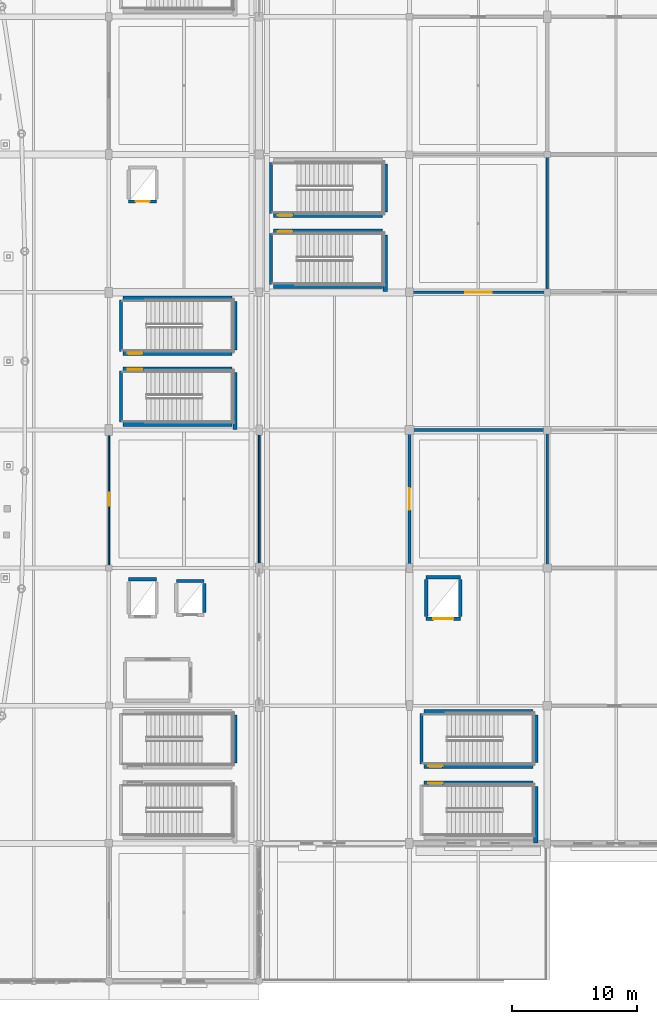
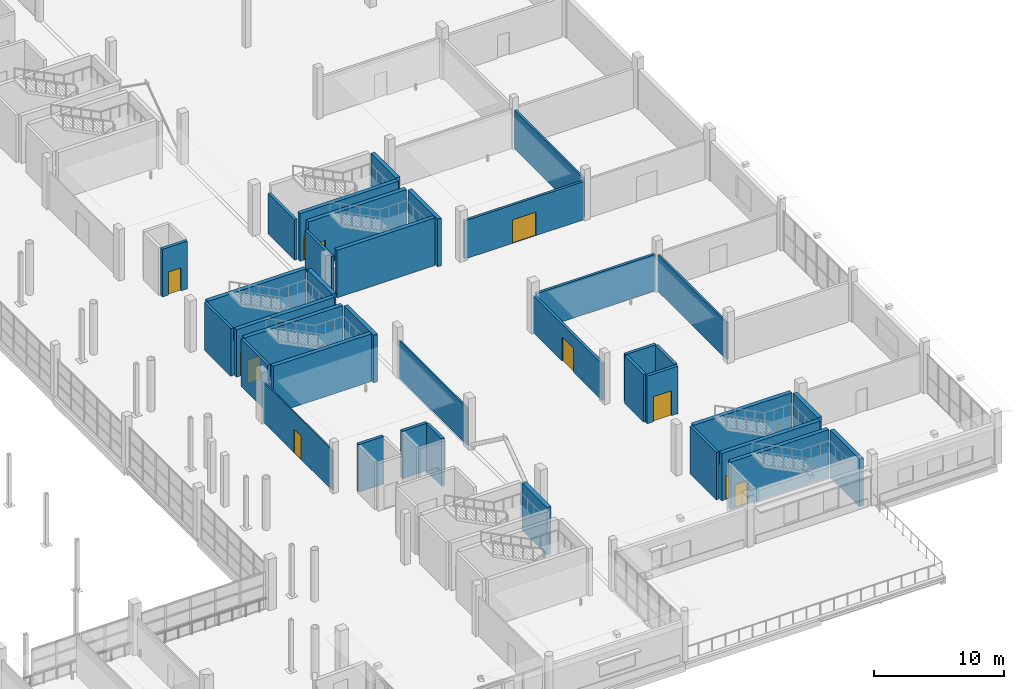
# One storey, part 98 of 143: 37 walls, 11 doors, 11 openings.
"""IFC4 building model written with IfcOpenShell, lengths in metres."""

import ifcopenshell
import ifcopenshell.guid

model = None  # the IFC model being written
_history = None  # IfcOwnerHistory: only IFC2X3 demands one
_inside = {}  # id of a spatial element -> (the spatial element, [elements in it])
_under = {}  # id of a project, library or spatial element -> (it, [spatial elements below it])
_declared = {}  # id of a project -> (the project, [libraries it declares])
_typed = {}  # id of a type object -> (the type object, [elements of that type])
_made_of = {}  # id of a material, layer set ... -> (it, [elements and type objects made of it])


def new_model(schema):
    """Start an empty IFC model of exactly this schema.

    Asked for "IFC4X3", IfcOpenShell would pick the latest addendum, in which some entities
    have other attributes; the version numbers below select the first issue.
    IFC2X3 requires an IfcOwnerHistory on every rooted entity: one is made here for all.
    """
    global model, _history
    if schema == "IFC4X3":
        model = ifcopenshell.file(schema_version=(4, 3, 0, 0))
    else:
        model = ifcopenshell.file(schema=schema)
    _inside.clear()
    _under.clear()
    _declared.clear()
    _typed.clear()
    _made_of.clear()
    _history = None
    if model.schema == "IFC2X3":
        org = make("IfcOrganization", Name="unknown")
        user = make(
            "IfcPersonAndOrganization",
            ThePerson=make("IfcPerson", FamilyName="unknown"),
            TheOrganization=org,
        )
        app = make(
            "IfcApplication",
            ApplicationDeveloper=org,
            Version="unknown",
            ApplicationFullName="unknown",
            ApplicationIdentifier="unknown",
        )
        _history = make(
            "IfcOwnerHistory",
            OwningUser=user,
            OwningApplication=app,
            ChangeAction="ADDED",
            CreationDate=0,
        )
    return model


def make(cls, **values):
    """One entity of the class cls with the attributes given. An attribute that is None is left unset."""
    return model.create_entity(
        cls, **{name: value for name, value in values.items() if value is not None}
    )


def rooted(cls, **values):
    """An entity with a GlobalId (a new one), such as an element, a storey or a relation."""
    return make(cls, GlobalId=ifcopenshell.guid.new(), OwnerHistory=_history, **values)


def si_unit(unit_type, name, prefix=None):
    """IfcSIUnit, for example si_unit("LENGTHUNIT", "METRE", prefix="MILLI")."""
    return make("IfcSIUnit", UnitType=unit_type, Prefix=prefix, Name=name)


def assignment(units):
    """IfcUnitAssignment: the units of a project."""
    return None if units is None else make("IfcUnitAssignment", Units=units)


def point(xyz):
    """IfcCartesianPoint."""
    return None if xyz is None else make("IfcCartesianPoint", Coordinates=xyz)


def direction(xyz):
    """IfcDirection."""
    return None if xyz is None else make("IfcDirection", DirectionRatios=xyz)


def frame(location, z_axis=None, x_axis=None):
    """IfcAxis2Placement3D, a coordinate frame: its origin and axes. An axis left out is left unset."""
    return make(
        "IfcAxis2Placement3D",
        Location=point(location),
        Axis=direction(z_axis),
        RefDirection=direction(x_axis),
    )


def frame_2d(location, x_axis=None):
    """IfcAxis2Placement2D, a coordinate frame in the plane: its origin and x axis."""
    return make(
        "IfcAxis2Placement2D", Location=point(location), RefDirection=direction(x_axis)
    )


def origin():
    """The frame at (0, 0, 0) with its axes left unset."""
    return frame((0.0, 0.0, 0.0))


def place(relative_to, where):
    """IfcLocalPlacement: puts the frame where relative to a parent placement (None: the world)."""
    return make(
        "IfcLocalPlacement", PlacementRelTo=relative_to, RelativePlacement=where
    )


def context(
    kind, dimensions, precision=None, world=None, true_north=None, identifier=None
):
    """IfcGeometricRepresentationContext, for example the 3D "Model" context."""
    return make(
        "IfcGeometricRepresentationContext",
        ContextIdentifier=identifier,
        ContextType=kind,
        CoordinateSpaceDimension=dimensions,
        Precision=precision,
        WorldCoordinateSystem=world,
        TrueNorth=true_north,
    )


def subcontext(parent, identifier, kind, view, scale=None):
    """IfcGeometricRepresentationSubContext, for example "Body" below "Model"."""
    return make(
        "IfcGeometricRepresentationSubContext",
        ContextIdentifier=identifier,
        ContextType=kind,
        ParentContext=parent,
        TargetScale=scale,
        TargetView=view,
    )


def project(units=None, contexts=None):
    """IfcProject with its units and contexts."""
    return rooted(
        "IfcProject",
        Name="project",
        RepresentationContexts=contexts,
        UnitsInContext=assignment(units),
    )


def spatial(cls, under=None, at=None, **own):
    """A site, building, storey or space (cls), placed at a placement, below another one or the project."""
    s = rooted(cls, ObjectPlacement=at, **own)
    if under is not None:
        _under.setdefault(under.id(), (under, []))[1].append(s)
    return s


def profile(cls, at=None, kind="AREA", **sizes):
    """A parametric profile (cls). Its sizes go by their IFC names, for example OverallWidth=200.0."""
    return make(cls, ProfileType=kind, Position=at, **sizes)


def rectangle(**sizes):
    """IfcRectangleProfileDef."""
    return profile("IfcRectangleProfileDef", **sizes)


def extrude(swept, where, along, depth):
    """IfcExtrudedAreaSolid: the profile swept, set in the frame where, extruded along a direction by depth."""
    return make(
        "IfcExtrudedAreaSolid",
        SweptArea=swept,
        Position=where,
        ExtrudedDirection=direction(along),
        Depth=depth,
    )


def shape(context_of_items, identifier, shape_type, items):
    """IfcShapeRepresentation: the items that make up one representation, for example the "Body"."""
    return make(
        "IfcShapeRepresentation",
        ContextOfItems=context_of_items,
        RepresentationIdentifier=identifier,
        RepresentationType=shape_type,
        Items=items,
    )


def material(Name=None, Category=None):
    """IfcMaterial."""
    return make("IfcMaterial", Name=Name, Category=Category)


def layer(
    of_material, thickness, ventilated=None, Name=None, Category=None, Priority=None
):
    """IfcMaterialLayer: one layer of a wall or slab, of a material (None: an air gap)."""
    return make(
        "IfcMaterialLayer",
        Material=of_material,
        LayerThickness=thickness,
        IsVentilated=ventilated,
        Name=Name,
        Category=Category,
        Priority=Priority,
    )


def layer_set(layers, Name=None):
    """IfcMaterialLayerSet."""
    return make("IfcMaterialLayerSet", MaterialLayers=layers, LayerSetName=Name)


def made_of(thing, what):
    """Note that an element or type object is made of a material, layer set ...; save() writes the relation."""
    if what is not None:
        _made_of.setdefault(what.id(), (what, []))[1].append(thing)
    return thing


def type_object(cls, material=None, **own):
    """A type object (cls), such as IfcWallType, which elements share."""
    return made_of(rooted(cls, **own), material)


def element(
    cls,
    number,
    at=None,
    inside=None,
    cuts=None,
    type_object=None,
    material=None,
    context=None,
    identifier="Body",
    shape_type=None,
    held_by="IfcProductDefinitionShape",
    body=None,
    shapes=None,
    **own,
):
    """One element of the class cls, such as IfcWall. Its Tag is "e" and its number.

    at: its placement. inside: the storey or other place that contains it. cuts: it is an
    opening in that element (IfcRelVoidsElement). A single representation is given by context,
    identifier, shape_type and body (its items); several are given by shapes. held_by: the class
    of the entity that holds the representations. save() writes the other relations.
    """
    e = rooted(cls, Tag="e%d" % number, ObjectPlacement=at, **own)
    if body is not None:
        shapes = [shape(context, identifier, shape_type, body)]
    if shapes is not None:
        e.Representation = make(held_by, Representations=shapes)
    if inside is not None:
        _inside.setdefault(inside.id(), (inside, []))[1].append(e)
    if cuts is not None:
        rooted(
            "IfcRelVoidsElement", RelatingBuildingElement=cuts, RelatedOpeningElement=e
        )
    if type_object is not None:
        _typed.setdefault(type_object.id(), (type_object, []))[1].append(e)
    return made_of(e, material)


def fill(opening, filler):
    """IfcRelFillsElement: the door or window that sits in an opening."""
    return rooted(
        "IfcRelFillsElement",
        RelatingOpeningElement=opening,
        RelatedBuildingElement=filler,
    )


def aggregate(whole, parts):
    """IfcRelAggregates: a whole, such as a stair, and the parts it consists of."""
    return rooted("IfcRelAggregates", RelatingObject=whole, RelatedObjects=parts)


def save(model, path):
    """Write the relations noted so far, then the file.

    IfcRelAggregates (storeys below a building ...), IfcRelContainedInSpatialStructure (elements
    in a storey), IfcRelDefinesByType, IfcRelAssociatesMaterial and IfcRelDeclares: one each for
    every whole, place, type object, material and project.
    """
    for whole, parts in _under.values():
        aggregate(whole, parts)
    for where, things in _inside.values():
        rooted(
            "IfcRelContainedInSpatialStructure",
            RelatedElements=things,
            RelatingStructure=where,
        )
    for kind, things in _typed.values():
        rooted("IfcRelDefinesByType", RelatedObjects=things, RelatingType=kind)
    for what, things in _made_of.values():
        rooted("IfcRelAssociatesMaterial", RelatedObjects=things, RelatingMaterial=what)
    for by, libraries in _declared.values():
        rooted("IfcRelDeclares", RelatingContext=by, RelatedDefinitions=libraries)
    model.write(path)


model = new_model("IFC4")

# Units and contexts
model_context = context("Model", 3, precision=1e-05, world=origin(), true_north=direction((0.0, 1.0)))
body_context = subcontext(model_context, "Body", "Model", "MODEL_VIEW")
ifc_project = project(units=[si_unit("LENGTHUNIT", "METRE"), si_unit("AREAUNIT", "SQUARE_METRE"), si_unit("VOLUMEUNIT", "CUBIC_METRE"), si_unit("PLANEANGLEUNIT", "RADIAN"), si_unit("MASSUNIT", "GRAM", prefix="KILO")], contexts=[model_context])

# Site, building, storey
site_placement = place(None, origin())
site = spatial("IfcSite", under=ifc_project, at=site_placement, CompositionType="ELEMENT")
building_placement = place(site_placement, origin())
building = spatial("IfcBuilding", under=site, at=building_placement, Name="Luwafu Chhajja Arena", CompositionType="ELEMENT")
storey_placement = place(building_placement, frame((0.0, 0.0, 5.39990234375)))
storey = spatial("IfcBuildingStorey", under=building, at=storey_placement, Name="L01", CompositionType="ELEMENT", Elevation=5.39990234375)

# Wall, opening, door
ifc_material_1 = material(Name="Concrete blockwork masonry", Category="masonry")
ifc_layer_1 = layer(ifc_material_1, 0.239990234375, Name="Concrete blockwork masonry")
ifc_layer_set_1 = layer_set([ifc_layer_1], Name="Concrete blockwork masonry")
wall_type_1 = type_object("IfcWallType", Name="Compartment Masonry Partition 240", PredefinedType="PARTITIONING", material=ifc_layer_set_1)
wall_1_placement = place(storey_placement, frame((176.0, 33.219970703125, 0.0), z_axis=(0.0, 0.0, 1.0), x_axis=(0.0, 1.0, 0.0)))
wall_1 = element("IfcWall", 1, at=wall_1_placement, inside=storey, type_object=wall_type_1, Name="L01 Internal Partition 0238", PredefinedType="PARTITIONING", context=body_context, shape_type="SweptSolid", body=[
    extrude(rectangle(XDim=10.56005859375, YDim=0.239990234375, at=frame_2d((5.280029296875, 0.0))), origin(), (0.0, 0.0, 1.0), 3.440185546875),
])
opening_1_placement = place(wall_1_placement, frame((4.405029296875, 0.0, 0.0)))
opening_1 = element("IfcOpeningElement", 2, at=opening_1_placement, cuts=wall_1, Name="Opening DR-09", PredefinedType="OPENING", context=body_context, shape_type="SweptSolid", body=[
    extrude(rectangle(XDim=1.75, YDim=2.25, at=frame_2d((0.875, 1.125))), frame((0.0, 0.1298828125, 0.0), z_axis=(0.0, -1.0, 0.0), x_axis=(1.0, 0.0, 0.0)), (0.0, 0.0, 1.0), 0.260009765625),
])
ifc_material_2 = material(Name="Powder-coated steel fire leaf", Category="steel")
door_type_1 = type_object("IfcDoorType", Name="DR-09", OperationType="DOUBLE_DOOR_SINGLE_SWING", PredefinedType="DOOR", material=ifc_material_2)
door_1_placement = place(opening_1_placement, origin())
door_1 = element("IfcDoor", 3, at=door_1_placement, inside=storey, type_object=door_type_1, Name="L01 Interior Door L01-D046", OperationType="DOUBLE_DOOR_SINGLE_SWING", OverallHeight=2.25, OverallWidth=1.75, PredefinedType="DOOR", context=body_context, shape_type="SweptSolid", body=[
    extrude(rectangle(XDim=1.75, YDim=2.25, at=frame_2d((0.875, 1.125))), frame((0.0, 0.02490234375, 0.0), z_axis=(0.0, -1.0, 0.0), x_axis=(1.0, 0.0, 0.0)), (0.0, 0.0, 1.0), 0.050048828125),
])
fill(opening_1, door_1)

# Walls
ifc_material_3 = material(Name="Lightweight blockwork partition", Category="masonry")
ifc_layer_2 = layer(ifc_material_3, 0.139892578125, Name="Lightweight blockwork partition")
ifc_layer_set_2 = layer_set([ifc_layer_2], Name="Lightweight blockwork partition")
wall_type_2 = type_object("IfcWallType", Name="Concourse Kiosk Partition 140", PredefinedType="PARTITIONING", material=ifc_layer_set_2)
wall_2_placement = place(storey_placement, frame((164.0, 33.219970703125, 0.0), z_axis=(0.0, 0.0, 1.0), x_axis=(0.0, 1.0, 0.0)))
element("IfcWall", 4, at=wall_2_placement, inside=storey, type_object=wall_type_2, Name="L01 Internal Partition 0235", PredefinedType="PARTITIONING", context=body_context, shape_type="SweptSolid", body=[
    extrude(rectangle(XDim=10.56005859375, YDim=0.139892578125, at=frame_2d((5.280029296875, 0.0))), origin(), (0.0, 0.0, 1.0), 3.489990234375),
])
ifc_layer_3 = layer(ifc_material_1, 0.179931640625, Name="Concrete blockwork masonry")
ifc_layer_set_3 = layer_set([ifc_layer_3], Name="Concrete blockwork masonry")
wall_type_3 = type_object("IfcWallType", Name="Hospitality Suite Partition 180", PredefinedType="PARTITIONING", material=ifc_layer_set_3)
wall_3_placement = place(storey_placement, frame((187.0, 33.219970703125, 0.0), z_axis=(0.0, 0.0, 1.0), x_axis=(0.0, 1.0, 0.0)))
element("IfcWall", 5, at=wall_3_placement, inside=storey, type_object=wall_type_3, Name="L01 Internal Partition 0258", PredefinedType="PARTITIONING", context=body_context, shape_type="SweptSolid", body=[
    extrude(rectangle(XDim=10.56005859375, YDim=0.179931640625, at=frame_2d((5.280029296875, 0.0))), origin(), (0.0, 0.0, 1.0), 3.440185546875),
])
wall_4_placement = place(storey_placement, frame((187.0, 55.219970703125, 0.0), z_axis=(0.0, 0.0, 1.0), x_axis=(0.0, 1.0, 0.0)))
element("IfcWall", 6, at=wall_4_placement, inside=storey, type_object=wall_type_3, Name="L01 Internal Partition 0260", PredefinedType="PARTITIONING", context=body_context, shape_type="SweptSolid", body=[
    extrude(rectangle(XDim=10.570068359375, YDim=0.179931640625, at=frame_2d((5.28515625, 0.0))), origin(), (0.0, 0.0, 1.0), 3.64013671875),
])

# Wall, opening, door
ifc_material_4 = material(Name="Acoustic metal-stud gypsum board")
ifc_layer_4 = layer(ifc_material_4, 0.1201171875, Name="Acoustic metal-stud gypsum board")
ifc_layer_set_4 = layer_set([ifc_layer_4], Name="Acoustic metal-stud gypsum board")
wall_type_4 = type_object("IfcWallType", Name="Internal Room Partition 120", PredefinedType="PARTITIONING", material=ifc_layer_set_4)
wall_5_placement = place(storey_placement, frame((152.0, 33.2099609375, 0.0), z_axis=(0.0, 0.0, 1.0), x_axis=(0.0, 1.0, 0.0)))
wall_5 = element("IfcWall", 7, at=wall_5_placement, inside=storey, type_object=wall_type_4, Name="L01 Internal Partition 0231", PredefinedType="PARTITIONING", context=body_context, shape_type="SweptSolid", body=[
    extrude(rectangle(XDim=10.570068359375, YDim=0.1201171875, at=frame_2d((5.28515625, 0.0))), origin(), (0.0, 0.0, 1.0), 3.77001953125),
])
opening_2_placement = place(wall_5_placement, frame((4.764892578125, 0.0, 0.0)))
opening_2 = element("IfcOpeningElement", 8, at=opening_2_placement, cuts=wall_5, Name="Opening DR-24", PredefinedType="OPENING", context=body_context, shape_type="SweptSolid", body=[
    extrude(rectangle(XDim=1.0400390625, YDim=2.199951171875, at=frame_2d((0.52001953125, 1.10009765625))), frame((0.0, 0.070068359375, 0.0), z_axis=(0.0, -1.0, 0.0), x_axis=(1.0, 0.0, 0.0)), (0.0, 0.0, 1.0), 0.14013671875),
])
ifc_material_5 = material(Name="Hardwood flush classroom door", Category="wood")
door_type_2 = type_object("IfcDoorType", Name="DR-24", OperationType="NOTDEFINED", PredefinedType="DOOR", material=ifc_material_5)
door_2_placement = place(opening_2_placement, origin())
door_2 = element("IfcDoor", 9, at=door_2_placement, inside=storey, type_object=door_type_2, Name="L01 Interior Door L01-D042", OperationType="SINGLE_SWING_RIGHT", OverallHeight=2.199951171875, OverallWidth=1.0400390625, PredefinedType="DOOR", context=body_context, shape_type="SweptSolid", body=[
    extrude(rectangle(XDim=1.0400390625, YDim=2.199951171875, at=frame_2d((0.52001953125, 1.10009765625))), frame((0.0, 0.02490234375, 0.0), z_axis=(0.0, -1.0, 0.0), x_axis=(1.0, 0.0, 0.0)), (0.0, 0.0, 1.0), 0.050048828125),
])
fill(opening_2, door_2)

# Walls
ifc_material_6 = material(Name="Concrete C35/45", Category="concrete")
ifc_layer_5 = layer(ifc_material_6, 0.260009765625, Name="Concrete C35/45")
ifc_layer_set_5 = layer_set([ifc_layer_5], Name="Concrete C35/45")
wall_type_5 = type_object("IfcWallType", Name="Lift and Riser Shaft Wall 260", PredefinedType="SOLIDWALL", material=ifc_layer_set_5)
wall_6_placement = place(storey_placement, frame((153.590087890625, 32.0849609375, 0.0), z_axis=(0.0, 0.0, 1.0), x_axis=(1.0, 0.0, 0.0)))
element("IfcWall", 10, at=wall_6_placement, inside=storey, type_object=wall_type_5, Name="L01 Lift LF-02 Shaft Wall N", PredefinedType="SOLIDWALL", context=body_context, shape_type="SweptSolid", body=[
    extrude(rectangle(XDim=2.219970703125, YDim=0.260009765625, at=frame_2d((1.10986328125, 0.0))), origin(), (0.0, 0.0, 1.0), 4.460205078125),
])
wall_7_placement = place(storey_placement, frame((157.389892578125, 31.9599609375, 0.0), z_axis=(0.0, 0.0, 1.0), x_axis=(1.0, 0.0, 0.0)))
element("IfcWall", 11, at=wall_7_placement, inside=storey, type_object=wall_type_5, Name="L01 Lift LF-06 Shaft Wall N", PredefinedType="SOLIDWALL", context=body_context, shape_type="SweptSolid", body=[
    extrude(rectangle(XDim=2.22021484375, YDim=0.260009765625, at=frame_2d((1.110107421875, 0.0))), origin(), (0.0, 0.0, 1.0), 4.460205078125),
])
wall_8_placement = place(storey_placement, frame((159.610107421875, 29.43994140625, 0.0), z_axis=(0.0, 0.0, 1.0), x_axis=(0.0, 1.0, 0.0)))
element("IfcWall", 12, at=wall_8_placement, inside=storey, type_object=wall_type_5, Name="L01 Lift LF-06 Shaft Wall E", PredefinedType="SOLIDWALL", context=body_context, shape_type="SweptSolid", body=[
    extrude(rectangle(XDim=2.320068359375, YDim=0.260009765625, at=frame_2d((1.16015625, 0.0))), origin(), (0.0, 0.0, 1.0), 4.460205078125),
])

# Wall, opening, door
wall_9_placement = place(storey_placement, frame((153.590087890625, 62.239990234375, 0.0), z_axis=(0.0, 0.0, 1.0), x_axis=(1.0, 0.0, 0.0)))
wall_9 = element("IfcWall", 13, at=wall_9_placement, inside=storey, type_object=wall_type_5, Name="L01 Lift LF-10 Shaft Wall S", PredefinedType="SOLIDWALL", context=body_context, shape_type="SweptSolid", body=[
    extrude(rectangle(XDim=2.219970703125, YDim=0.260009765625, at=frame_2d((1.10986328125, 0.0))), origin(), (0.0, 0.0, 1.0), 4.460205078125),
])
opening_3_placement = place(wall_9_placement, frame((0.56005859375, 0.0, 0.0)))
opening_3 = element("IfcOpeningElement", 14, at=opening_3_placement, cuts=wall_9, Name="Opening LD-01", PredefinedType="OPENING", context=body_context, shape_type="SweptSolid", body=[
    extrude(rectangle(XDim=1.10009765625, YDim=2.14990234375, at=frame_2d((0.550048828125, 1.074951171875))), frame((0.0, 0.139892578125, 0.0), z_axis=(0.0, -1.0, 0.0), x_axis=(1.0, 0.0, 0.0)), (0.0, 0.0, 1.0), 0.280029296875),
])
ifc_material_7 = material(Name="Brushed stainless steel sliding leaves", Category="steel")
door_type_3 = type_object("IfcDoorType", Name="LD-01", OperationType="SLIDING_TO_LEFT", PredefinedType="DOOR", material=ifc_material_7)
door_3_placement = place(opening_3_placement, origin())
door_3 = element("IfcDoor", 15, at=door_3_placement, inside=storey, type_object=door_type_3, Name="L01 Lift LF-10 Landing Door L01-LD10", OperationType="SLIDING_TO_LEFT", OverallHeight=2.14990234375, OverallWidth=1.10009765625, PredefinedType="DOOR", context=body_context, shape_type="SweptSolid", body=[
    extrude(rectangle(XDim=1.10009765625, YDim=2.14990234375, at=frame_2d((0.550048828125, 1.074951171875))), frame((0.0, 0.02490234375, 0.0), z_axis=(0.0, -1.0, 0.0), x_axis=(1.0, 0.0, 0.0)), (0.0, 0.0, 1.0), 0.050048828125),
])
fill(opening_3, door_3)

wall_10_placement = place(storey_placement, frame((177.340087890625, 28.93994140625, 0.0), z_axis=(0.0, 0.0, 1.0), x_axis=(1.0, 0.0, 0.0)))
wall_10 = element("IfcWall", 16, at=wall_10_placement, inside=storey, type_object=wall_type_5, Name="L01 Lift LF-12 Shaft Wall S", PredefinedType="SOLIDWALL", context=body_context, shape_type="SweptSolid", body=[
    extrude(rectangle(XDim=2.719970703125, YDim=0.260009765625, at=frame_2d((1.35986328125, 0.0))), origin(), (0.0, 0.0, 1.0), 4.460205078125),
])
opening_4_placement = place(wall_10_placement, frame((0.56005859375, 0.0, 0.0)))
opening_4 = element("IfcOpeningElement", 17, at=opening_4_placement, cuts=wall_10, Name="Opening LD-03", PredefinedType="OPENING", context=body_context, shape_type="SweptSolid", body=[
    extrude(rectangle(XDim=1.60009765625, YDim=2.35009765625, at=frame_2d((0.800048828125, 1.175048828125))), frame((0.0, 0.139892578125, 0.0), z_axis=(0.0, -1.0, 0.0), x_axis=(1.0, 0.0, 0.0)), (0.0, 0.0, 1.0), 0.280029296875),
])
door_type_4 = type_object("IfcDoorType", Name="LD-03", OperationType="DOUBLE_DOOR_SLIDING", PredefinedType="DOOR", material=ifc_material_7)
door_4_placement = place(opening_4_placement, origin())
door_4 = element("IfcDoor", 18, at=door_4_placement, inside=storey, type_object=door_type_4, Name="L01 Lift LF-12 Landing Door L01-LD12", OperationType="DOUBLE_DOOR_SLIDING", OverallHeight=2.35009765625, OverallWidth=1.60009765625, PredefinedType="DOOR", context=body_context, shape_type="SweptSolid", body=[
    extrude(rectangle(XDim=1.60009765625, YDim=2.35009765625, at=frame_2d((0.800048828125, 1.175048828125))), frame((0.0, 0.02490234375, 0.0), z_axis=(0.0, -1.0, 0.0), x_axis=(1.0, 0.0, 0.0)), (0.0, 0.0, 1.0), 0.050048828125),
])
fill(opening_4, door_4)

# Walls
wall_11_placement = place(storey_placement, frame((177.340087890625, 32.260009765625, 0.0), z_axis=(0.0, 0.0, 1.0), x_axis=(1.0, 0.0, 0.0)))
element("IfcWall", 19, at=wall_11_placement, inside=storey, type_object=wall_type_5, Name="L01 Lift LF-12 Shaft Wall N", PredefinedType="SOLIDWALL", context=body_context, shape_type="SweptSolid", body=[
    extrude(rectangle(XDim=2.719970703125, YDim=0.260009765625, at=frame_2d((1.35986328125, 0.0))), origin(), (0.0, 0.0, 1.0), 4.460205078125),
])
for number, where, z_axis, x_axis, name in (
    (20, (177.340087890625, 29.139892578125, 0.0), (0.0, 0.0, 1.0), (0.0, 1.0, 0.0), "L01 Lift LF-12 Shaft Wall W"),
    (21, (180.06005859375, 29.139892578125, 0.0), (0.0, 0.0, 1.0), (0.0, 1.0, 0.0), "L01 Lift LF-12 Shaft Wall E"),
):
    element("IfcWall", number, at=place(storey_placement, frame(where, z_axis=z_axis, x_axis=x_axis)), inside=storey, type_object=wall_type_5, Name=name, PredefinedType="SOLIDWALL", context=body_context, shape_type="SweptSolid", body=[
        extrude(rectangle(XDim=2.920166015625, YDim=0.260009765625, at=frame_2d((1.4599609375, 0.0))), origin(), (0.0, 0.0, 1.0), 4.460205078125),
    ])
ifc_layer_6 = layer(ifc_material_1, 0.219970703125, Name="Concrete blockwork masonry")
ifc_layer_set_6 = layer_set([ifc_layer_6], Name="Concrete blockwork masonry")
wall_type_6 = type_object("IfcWallType", Name="Protected Corridor Partition 220", PredefinedType="PARTITIONING", material=ifc_layer_set_6)
wall_12_placement = place(storey_placement, frame((176.219970703125, 44.0, 0.0), z_axis=(0.0, 0.0, 1.0), x_axis=(1.0, 0.0, 0.0)))
element("IfcWall", 22, at=wall_12_placement, inside=storey, type_object=wall_type_6, Name="L01 Internal Partition 0241", PredefinedType="PARTITIONING", context=body_context, shape_type="SweptSolid", body=[
    extrude(rectangle(XDim=10.56005859375, YDim=0.219970703125, at=frame_2d((5.280029296875, 0.0))), origin(), (0.0, 0.0, 1.0), 3.440185546875),
])

# Wall, opening, door
wall_13_placement = place(storey_placement, frame((176.219970703125, 55.0, 0.0), z_axis=(0.0, 0.0, 1.0), x_axis=(1.0, 0.0, 0.0)))
wall_13 = element("IfcWall", 23, at=wall_13_placement, inside=storey, type_object=wall_type_6, Name="L01 Internal Partition 0242", PredefinedType="PARTITIONING", context=body_context, shape_type="SweptSolid", body=[
    extrude(rectangle(XDim=10.56005859375, YDim=0.219970703125, at=frame_2d((5.280029296875, 0.0))), origin(), (0.0, 0.0, 1.0), 3.590087890625),
])
opening_5_placement = place(wall_13_placement, frame((4.22998046875, 0.0, 0.0)))
opening_5 = element("IfcOpeningElement", 24, at=opening_5_placement, cuts=wall_13, Name="Opening DR-05", PredefinedType="OPENING", context=body_context, shape_type="SweptSolid", body=[
    extrude(rectangle(XDim=2.10009765625, YDim=2.199951171875, at=frame_2d((1.050048828125, 1.10009765625))), frame((0.0, 0.119873046875, 0.0), z_axis=(0.0, -1.0, 0.0), x_axis=(1.0, 0.0, 0.0)), (0.0, 0.0, 1.0), 0.239990234375),
])
ifc_material_8 = material(Name="Fire-rated hardwood and steel core", Category="steel")
door_type_5 = type_object("IfcDoorType", Name="DR-05", OperationType="DOUBLE_DOOR_SINGLE_SWING", PredefinedType="DOOR", material=ifc_material_8)
door_5_placement = place(opening_5_placement, origin())
door_5 = element("IfcDoor", 25, at=door_5_placement, inside=storey, type_object=door_type_5, Name="L01 Interior Door L01-D049", OperationType="DOUBLE_DOOR_SINGLE_SWING", OverallHeight=2.199951171875, OverallWidth=2.10009765625, PredefinedType="DOOR", context=body_context, shape_type="SweptSolid", body=[
    extrude(rectangle(XDim=2.10009765625, YDim=2.199951171875, at=frame_2d((1.050048828125, 1.10009765625))), frame((0.0, 0.02490234375, 0.0), z_axis=(0.0, -1.0, 0.0), x_axis=(1.0, 0.0, 0.0)), (0.0, 0.0, 1.0), 0.050048828125),
])
fill(opening_5, door_5)

# Walls
ifc_material_9 = material(Name="Concrete C40/50", Category="concrete")
ifc_layer_7 = layer(ifc_material_9, 0.35009765625, Name="Concrete C40/50")
ifc_layer_set_7 = layer_set([ifc_layer_7], Name="Concrete C40/50")
wall_type_7 = type_object("IfcWallType", Name="RC Core Shear Wall 350", PredefinedType="SOLIDWALL", material=ifc_layer_set_7)
wall_14_placement = place(storey_placement, frame((162.072021484375, 17.409912109375, 0.0), z_axis=(0.0, 0.0, 1.0), x_axis=(0.0, 1.0, 0.0)))
element("IfcWall", 26, at=wall_14_placement, inside=storey, type_object=wall_type_7, Name="L01 Stair ST-04 Core Shear Wall E", PredefinedType="SOLIDWALL", context=body_context, shape_type="SweptSolid", body=[
    extrude(rectangle(XDim=3.840087890625, YDim=0.35009765625, at=frame_2d((1.919921875, 0.0))), origin(), (0.0, 0.0, 1.0), 4.460205078125),
])
wall_15_placement = place(storey_placement, frame((162.072021484375, 44.050048828125, 0.0), z_axis=(0.0, 0.0, 1.0), x_axis=(0.0, 1.0, 0.0)))
element("IfcWall", 27, at=wall_15_placement, inside=storey, type_object=wall_type_7, Name="L01 Stair ST-11 Core Shear Wall E", PredefinedType="SOLIDWALL", context=body_context, shape_type="SweptSolid", body=[
    extrude(rectangle(XDim=4.5400390625, YDim=0.35009765625, at=frame_2d((2.27001953125, 0.0))), origin(), (0.0, 0.0, 1.0), 4.460205078125),
])
wall_16_placement = place(storey_placement, frame((153.14990234375, 44.47802734375, 0.0), z_axis=(0.0, 0.0, 1.0), x_axis=(1.0, 0.0, 0.0)))
element("IfcWall", 28, at=wall_16_placement, inside=storey, type_object=wall_type_7, Name="L01 Stair ST-11 Core Shear Wall S", PredefinedType="SOLIDWALL", context=body_context, shape_type="SweptSolid", body=[
    extrude(rectangle(XDim=8.7001953125, YDim=0.35009765625, at=frame_2d((4.35009765625, 0.0))), origin(), (0.0, 0.0, 1.0), 4.460205078125),
])

# Wall, opening, door
wall_17_placement = place(storey_placement, frame((153.14990234375, 48.862060546875, 0.0), z_axis=(0.0, 0.0, 1.0), x_axis=(1.0, 0.0, 0.0)))
wall_17 = element("IfcWall", 29, at=wall_17_placement, inside=storey, type_object=wall_type_7, Name="L01 Stair ST-11 Core Shear Wall N", PredefinedType="SOLIDWALL", context=body_context, shape_type="SweptSolid", body=[
    extrude(rectangle(XDim=8.7001953125, YDim=0.35009765625, at=frame_2d((4.35009765625, 0.0))), origin(), (0.0, 0.0, 1.0), 4.460205078125),
])
opening_6_placement = place(wall_17_placement, frame((0.35009765625, 0.0, 0.0)))
opening_6 = element("IfcOpeningElement", 30, at=opening_6_placement, cuts=wall_17, Name="Opening DR-06", PredefinedType="OPENING", context=body_context, shape_type="SweptSolid", body=[
    extrude(rectangle(XDim=1.14990234375, YDim=2.199951171875, at=frame_2d((0.574951171875, 1.10009765625))), frame((0.0, 0.18505859375, 0.0), z_axis=(0.0, -1.0, 0.0), x_axis=(1.0, 0.0, 0.0)), (0.0, 0.0, 1.0), 0.3701171875),
])
door_type_6 = type_object("IfcDoorType", Name="DR-06", OperationType="NOTDEFINED", PredefinedType="DOOR", material=ifc_material_8)
door_6_placement = place(opening_6_placement, origin())
door_6 = element("IfcDoor", 31, at=door_6_placement, inside=storey, type_object=door_type_6, Name="L01 Escape Stair ST-11 Fire Door L01-D019", OperationType="SINGLE_SWING_RIGHT", OverallHeight=2.199951171875, OverallWidth=1.14990234375, PredefinedType="DOOR", context=body_context, shape_type="SweptSolid", body=[
    extrude(rectangle(XDim=1.14990234375, YDim=2.199951171875, at=frame_2d((0.574951171875, 1.10009765625))), frame((0.0, 0.02490234375, 0.0), z_axis=(0.0, -1.0, 0.0), x_axis=(1.0, 0.0, 0.0)), (0.0, 0.0, 1.0), 0.050048828125),
])
fill(opening_6, door_6)

# Wall
wall_18_placement = place(storey_placement, frame((162.072021484375, 50.409912109375, 0.0), z_axis=(0.0, 0.0, 1.0), x_axis=(0.0, 1.0, 0.0)))
element("IfcWall", 32, at=wall_18_placement, inside=storey, type_object=wall_type_7, Name="L01 Stair ST-12 Core Shear Wall E", PredefinedType="SOLIDWALL", context=body_context, shape_type="SweptSolid", body=[
    extrude(rectangle(XDim=3.840087890625, YDim=0.35009765625, at=frame_2d((1.919921875, 0.0))), origin(), (0.0, 0.0, 1.0), 4.460205078125),
])

# Wall, opening, door
wall_19_placement = place(storey_placement, frame((153.14990234375, 50.137939453125, 0.0), z_axis=(0.0, 0.0, 1.0), x_axis=(1.0, 0.0, 0.0)))
wall_19 = element("IfcWall", 33, at=wall_19_placement, inside=storey, type_object=wall_type_7, Name="L01 Stair ST-12 Core Shear Wall S", PredefinedType="SOLIDWALL", context=body_context, shape_type="SweptSolid", body=[
    extrude(rectangle(XDim=8.7001953125, YDim=0.35009765625, at=frame_2d((4.35009765625, 0.0))), origin(), (0.0, 0.0, 1.0), 4.460205078125),
])
opening_7_placement = place(wall_19_placement, frame((0.35009765625, 0.0, 0.0)))
opening_7 = element("IfcOpeningElement", 34, at=opening_7_placement, cuts=wall_19, Name="Opening DR-06", PredefinedType="OPENING", context=body_context, shape_type="SweptSolid", body=[
    extrude(rectangle(XDim=1.14990234375, YDim=2.199951171875, at=frame_2d((0.574951171875, 1.10009765625))), frame((0.0, 0.18505859375, 0.0), z_axis=(0.0, -1.0, 0.0), x_axis=(1.0, 0.0, 0.0)), (0.0, 0.0, 1.0), 0.3701171875),
])
door_7_placement = place(opening_7_placement, origin())
door_7 = element("IfcDoor", 35, at=door_7_placement, inside=storey, type_object=door_type_6, Name="L01 Escape Stair ST-12 Fire Door L01-D020", OperationType="SINGLE_SWING_LEFT", OverallHeight=2.199951171875, OverallWidth=1.14990234375, PredefinedType="DOOR", context=body_context, shape_type="SweptSolid", body=[
    extrude(rectangle(XDim=1.14990234375, YDim=2.199951171875, at=frame_2d((0.574951171875, 1.10009765625))), frame((0.0, 0.02490234375, 0.0), z_axis=(0.0, -1.0, 0.0), x_axis=(1.0, 0.0, 0.0)), (0.0, 0.0, 1.0), 0.050048828125),
])
fill(opening_7, door_7)

# Walls
wall_20_placement = place(storey_placement, frame((153.14990234375, 54.52197265625, 0.0), z_axis=(0.0, 0.0, 1.0), x_axis=(1.0, 0.0, 0.0)))
element("IfcWall", 36, at=wall_20_placement, inside=storey, type_object=wall_type_7, Name="L01 Stair ST-12 Core Shear Wall N", PredefinedType="SOLIDWALL", context=body_context, shape_type="SweptSolid", body=[
    extrude(rectangle(XDim=8.7001953125, YDim=0.35009765625, at=frame_2d((4.35009765625, 0.0))), origin(), (0.0, 0.0, 1.0), 4.460205078125),
])
wall_21_placement = place(storey_placement, frame((186.072021484375, 11.050048828125, 0.0), z_axis=(0.0, 0.0, 1.0), x_axis=(0.0, 1.0, 0.0)))
element("IfcWall", 37, at=wall_21_placement, inside=storey, type_object=wall_type_7, Name="L01 Stair ST-15 Core Shear Wall E", PredefinedType="SOLIDWALL", context=body_context, shape_type="SweptSolid", body=[
    extrude(rectangle(XDim=4.5, YDim=0.35009765625, at=frame_2d((2.25, 0.0))), origin(), (0.0, 0.0, 1.0), 4.460205078125),
])

# Wall, opening, door
wall_22_placement = place(storey_placement, frame((177.14990234375, 15.822021484375, 0.0), z_axis=(0.0, 0.0, 1.0), x_axis=(1.0, 0.0, 0.0)))
wall_22 = element("IfcWall", 38, at=wall_22_placement, inside=storey, type_object=wall_type_7, Name="L01 Stair ST-15 Core Shear Wall N", PredefinedType="SOLIDWALL", context=body_context, shape_type="SweptSolid", body=[
    extrude(rectangle(XDim=8.7001953125, YDim=0.35009765625, at=frame_2d((4.35009765625, 0.0))), origin(), (0.0, 0.0, 1.0), 4.460205078125),
])
opening_8_placement = place(wall_22_placement, frame((0.35009765625, 0.0, 0.0)))
opening_8 = element("IfcOpeningElement", 39, at=opening_8_placement, cuts=wall_22, Name="Opening DR-06", PredefinedType="OPENING", context=body_context, shape_type="SweptSolid", body=[
    extrude(rectangle(XDim=1.14990234375, YDim=2.199951171875, at=frame_2d((0.574951171875, 1.10009765625))), frame((0.0, 0.18505859375, 0.0), z_axis=(0.0, -1.0, 0.0), x_axis=(1.0, 0.0, 0.0)), (0.0, 0.0, 1.0), 0.3701171875),
])
door_8_placement = place(opening_8_placement, origin())
door_8 = element("IfcDoor", 40, at=door_8_placement, inside=storey, type_object=door_type_6, Name="L01 Escape Stair ST-15 Fire Door L01-D023", OperationType="SINGLE_SWING_RIGHT", OverallHeight=2.199951171875, OverallWidth=1.14990234375, PredefinedType="DOOR", context=body_context, shape_type="SweptSolid", body=[
    extrude(rectangle(XDim=1.14990234375, YDim=2.199951171875, at=frame_2d((0.574951171875, 1.10009765625))), frame((0.0, 0.02490234375, 0.0), z_axis=(0.0, -1.0, 0.0), x_axis=(1.0, 0.0, 0.0)), (0.0, 0.0, 1.0), 0.050048828125),
])
fill(opening_8, door_8)

# Wall
wall_23_placement = place(storey_placement, frame((186.072021484375, 17.449951171875, 0.0), z_axis=(0.0, 0.0, 1.0), x_axis=(0.0, 1.0, 0.0)))
element("IfcWall", 41, at=wall_23_placement, inside=storey, type_object=wall_type_7, Name="L01 Stair ST-16 Core Shear Wall E", PredefinedType="SOLIDWALL", context=body_context, shape_type="SweptSolid", body=[
    extrude(rectangle(XDim=3.800048828125, YDim=0.35009765625, at=frame_2d((1.89990234375, 0.0))), origin(), (0.0, 0.0, 1.0), 4.460205078125),
])

# Wall, opening, door
wall_24_placement = place(storey_placement, frame((177.14990234375, 17.177978515625, 0.0), z_axis=(0.0, 0.0, 1.0), x_axis=(1.0, 0.0, 0.0)))
wall_24 = element("IfcWall", 42, at=wall_24_placement, inside=storey, type_object=wall_type_7, Name="L01 Stair ST-16 Core Shear Wall S", PredefinedType="SOLIDWALL", context=body_context, shape_type="SweptSolid", body=[
    extrude(rectangle(XDim=8.7001953125, YDim=0.35009765625, at=frame_2d((4.35009765625, 0.0))), origin(), (0.0, 0.0, 1.0), 4.460205078125),
])
opening_9_placement = place(wall_24_placement, frame((0.35009765625, 0.0, 0.0)))
opening_9 = element("IfcOpeningElement", 43, at=opening_9_placement, cuts=wall_24, Name="Opening DR-06", PredefinedType="OPENING", context=body_context, shape_type="SweptSolid", body=[
    extrude(rectangle(XDim=1.14990234375, YDim=2.199951171875, at=frame_2d((0.574951171875, 1.10009765625))), frame((0.0, 0.18505859375, 0.0), z_axis=(0.0, -1.0, 0.0), x_axis=(1.0, 0.0, 0.0)), (0.0, 0.0, 1.0), 0.3701171875),
])
door_9_placement = place(opening_9_placement, origin())
door_9 = element("IfcDoor", 44, at=door_9_placement, inside=storey, type_object=door_type_6, Name="L01 Escape Stair ST-16 Fire Door L01-D024", OperationType="SINGLE_SWING_LEFT", OverallHeight=2.199951171875, OverallWidth=1.14990234375, PredefinedType="DOOR", context=body_context, shape_type="SweptSolid", body=[
    extrude(rectangle(XDim=1.14990234375, YDim=2.199951171875, at=frame_2d((0.574951171875, 1.10009765625))), frame((0.0, 0.02490234375, 0.0), z_axis=(0.0, -1.0, 0.0), x_axis=(1.0, 0.0, 0.0)), (0.0, 0.0, 1.0), 0.050048828125),
])
fill(opening_9, door_9)

# Walls
wall_25_placement = place(storey_placement, frame((177.14990234375, 21.52197265625, 0.0), z_axis=(0.0, 0.0, 1.0), x_axis=(1.0, 0.0, 0.0)))
element("IfcWall", 45, at=wall_25_placement, inside=storey, type_object=wall_type_7, Name="L01 Stair ST-16 Core Shear Wall N", PredefinedType="SOLIDWALL", context=body_context, shape_type="SweptSolid", body=[
    extrude(rectangle(XDim=8.7001953125, YDim=0.35009765625, at=frame_2d((4.35009765625, 0.0))), origin(), (0.0, 0.0, 1.0), 4.460205078125),
])
wall_26_placement = place(storey_placement, frame((174.072021484375, 55.050048828125, 0.0), z_axis=(0.0, 0.0, 1.0), x_axis=(0.0, 1.0, 0.0)))
element("IfcWall", 46, at=wall_26_placement, inside=storey, type_object=wall_type_7, Name="L01 Stair ST-19 Core Shear Wall E", PredefinedType="SOLIDWALL", context=body_context, shape_type="SweptSolid", body=[
    extrude(rectangle(XDim=4.5400390625, YDim=0.35009765625, at=frame_2d((2.27001953125, 0.0))), origin(), (0.0, 0.0, 1.0), 4.460205078125),
])
wall_27_placement = place(storey_placement, frame((165.14990234375, 55.47802734375, 0.0), z_axis=(0.0, 0.0, 1.0), x_axis=(1.0, 0.0, 0.0)))
element("IfcWall", 47, at=wall_27_placement, inside=storey, type_object=wall_type_7, Name="L01 Stair ST-19 Core Shear Wall S", PredefinedType="SOLIDWALL", context=body_context, shape_type="SweptSolid", body=[
    extrude(rectangle(XDim=8.7001953125, YDim=0.35009765625, at=frame_2d((4.35009765625, 0.0))), origin(), (0.0, 0.0, 1.0), 4.460205078125),
])

# Wall, opening, door
wall_28_placement = place(storey_placement, frame((165.14990234375, 59.862060546875, 0.0), z_axis=(0.0, 0.0, 1.0), x_axis=(1.0, 0.0, 0.0)))
wall_28 = element("IfcWall", 48, at=wall_28_placement, inside=storey, type_object=wall_type_7, Name="L01 Stair ST-19 Core Shear Wall N", PredefinedType="SOLIDWALL", context=body_context, shape_type="SweptSolid", body=[
    extrude(rectangle(XDim=8.7001953125, YDim=0.35009765625, at=frame_2d((4.35009765625, 0.0))), origin(), (0.0, 0.0, 1.0), 4.460205078125),
])
opening_10_placement = place(wall_28_placement, frame((0.35009765625, 0.0, 0.0)))
opening_10 = element("IfcOpeningElement", 49, at=opening_10_placement, cuts=wall_28, Name="Opening DR-06", PredefinedType="OPENING", context=body_context, shape_type="SweptSolid", body=[
    extrude(rectangle(XDim=1.14990234375, YDim=2.199951171875, at=frame_2d((0.574951171875, 1.10009765625))), frame((0.0, 0.18505859375, 0.0), z_axis=(0.0, -1.0, 0.0), x_axis=(1.0, 0.0, 0.0)), (0.0, 0.0, 1.0), 0.3701171875),
])
door_10_placement = place(opening_10_placement, origin())
door_10 = element("IfcDoor", 50, at=door_10_placement, inside=storey, type_object=door_type_6, Name="L01 Escape Stair ST-19 Fire Door L01-D027", OperationType="SINGLE_SWING_RIGHT", OverallHeight=2.199951171875, OverallWidth=1.14990234375, PredefinedType="DOOR", context=body_context, shape_type="SweptSolid", body=[
    extrude(rectangle(XDim=1.14990234375, YDim=2.199951171875, at=frame_2d((0.574951171875, 1.10009765625))), frame((0.0, 0.02490234375, 0.0), z_axis=(0.0, -1.0, 0.0), x_axis=(1.0, 0.0, 0.0)), (0.0, 0.0, 1.0), 0.050048828125),
])
fill(opening_10, door_10)

# Wall
wall_29_placement = place(storey_placement, frame((174.072021484375, 61.409912109375, 0.0), z_axis=(0.0, 0.0, 1.0), x_axis=(0.0, 1.0, 0.0)))
element("IfcWall", 51, at=wall_29_placement, inside=storey, type_object=wall_type_7, Name="L01 Stair ST-20 Core Shear Wall E", PredefinedType="SOLIDWALL", context=body_context, shape_type="SweptSolid", body=[
    extrude(rectangle(XDim=3.840087890625, YDim=0.35009765625, at=frame_2d((1.919921875, 0.0))), origin(), (0.0, 0.0, 1.0), 4.460205078125),
])

# Wall, opening, door
wall_30_placement = place(storey_placement, frame((165.14990234375, 61.137939453125, 0.0), z_axis=(0.0, 0.0, 1.0), x_axis=(1.0, 0.0, 0.0)))
wall_30 = element("IfcWall", 52, at=wall_30_placement, inside=storey, type_object=wall_type_7, Name="L01 Stair ST-20 Core Shear Wall S", PredefinedType="SOLIDWALL", context=body_context, shape_type="SweptSolid", body=[
    extrude(rectangle(XDim=8.7001953125, YDim=0.35009765625, at=frame_2d((4.35009765625, 0.0))), origin(), (0.0, 0.0, 1.0), 4.460205078125),
])
opening_11_placement = place(wall_30_placement, frame((0.35009765625, 0.0, 0.0)))
opening_11 = element("IfcOpeningElement", 53, at=opening_11_placement, cuts=wall_30, Name="Opening DR-06", PredefinedType="OPENING", context=body_context, shape_type="SweptSolid", body=[
    extrude(rectangle(XDim=1.14990234375, YDim=2.199951171875, at=frame_2d((0.574951171875, 1.10009765625))), frame((0.0, 0.18505859375, 0.0), z_axis=(0.0, -1.0, 0.0), x_axis=(1.0, 0.0, 0.0)), (0.0, 0.0, 1.0), 0.3701171875),
])
door_11_placement = place(opening_11_placement, origin())
door_11 = element("IfcDoor", 54, at=door_11_placement, inside=storey, type_object=door_type_6, Name="L01 Escape Stair ST-20 Fire Door L01-D028", OperationType="SINGLE_SWING_LEFT", OverallHeight=2.199951171875, OverallWidth=1.14990234375, PredefinedType="DOOR", context=body_context, shape_type="SweptSolid", body=[
    extrude(rectangle(XDim=1.14990234375, YDim=2.199951171875, at=frame_2d((0.574951171875, 1.10009765625))), frame((0.0, 0.02490234375, 0.0), z_axis=(0.0, -1.0, 0.0), x_axis=(1.0, 0.0, 0.0)), (0.0, 0.0, 1.0), 0.050048828125),
])
fill(opening_11, door_11)

# Walls
ifc_layer_8 = layer(ifc_material_6, 0.22998046875, Name="Concrete C35/45")
ifc_layer_set_8 = layer_set([ifc_layer_8], Name="Concrete C35/45")
wall_type_8 = type_object("IfcWallType", Name="Stair Enclosure Wall 230", PredefinedType="SOLIDWALL", material=ifc_layer_set_8)
for number, where, z_axis, x_axis, name in (
    (55, (152.9599609375, 44.6298828125, 0.0), (0.0, 0.0, 1.0), (0.0, 1.0, 0.0), "L01 Stair ST-11 Enclosure Wall W"),
    (56, (152.9599609375, 50.2900390625, 0.0), (0.0, 0.0, 1.0), (0.0, 1.0, 0.0), "L01 Stair ST-12 Enclosure Wall W"),
):
    element("IfcWall", number, at=place(storey_placement, frame(where, z_axis=z_axis, x_axis=x_axis)), inside=storey, type_object=wall_type_8, Name=name, PredefinedType="SOLIDWALL", context=body_context, shape_type="SweptSolid", body=[
        extrude(rectangle(XDim=4.080078125, YDim=0.22998046875, at=frame_2d((2.0400390625, 0.0))), origin(), (0.0, 0.0, 1.0), 4.460205078125),
    ])
wall_31_placement = place(storey_placement, frame((176.9599609375, 17.330078125, 0.0), z_axis=(0.0, 0.0, 1.0), x_axis=(0.0, 1.0, 0.0)))
element("IfcWall", 57, at=wall_31_placement, inside=storey, type_object=wall_type_8, Name="L01 Stair ST-16 Enclosure Wall W", PredefinedType="SOLIDWALL", context=body_context, shape_type="SweptSolid", body=[
    extrude(rectangle(XDim=4.0400390625, YDim=0.22998046875, at=frame_2d((2.02001953125, 0.0))), origin(), (0.0, 0.0, 1.0), 4.460205078125),
])
for number, where, z_axis, x_axis, name in (
    (58, (164.9599609375, 55.6298828125, 0.0), (0.0, 0.0, 1.0), (0.0, 1.0, 0.0), "L01 Stair ST-19 Enclosure Wall W"),
    (59, (164.9599609375, 61.2900390625, 0.0), (0.0, 0.0, 1.0), (0.0, 1.0, 0.0), "L01 Stair ST-20 Enclosure Wall W"),
):
    element("IfcWall", number, at=place(storey_placement, frame(where, z_axis=z_axis, x_axis=x_axis)), inside=storey, type_object=wall_type_8, Name=name, PredefinedType="SOLIDWALL", context=body_context, shape_type="SweptSolid", body=[
        extrude(rectangle(XDim=4.080078125, YDim=0.22998046875, at=frame_2d((2.0400390625, 0.0))), origin(), (0.0, 0.0, 1.0), 3.7900390625),
    ])

save(model, "model.ifc")
